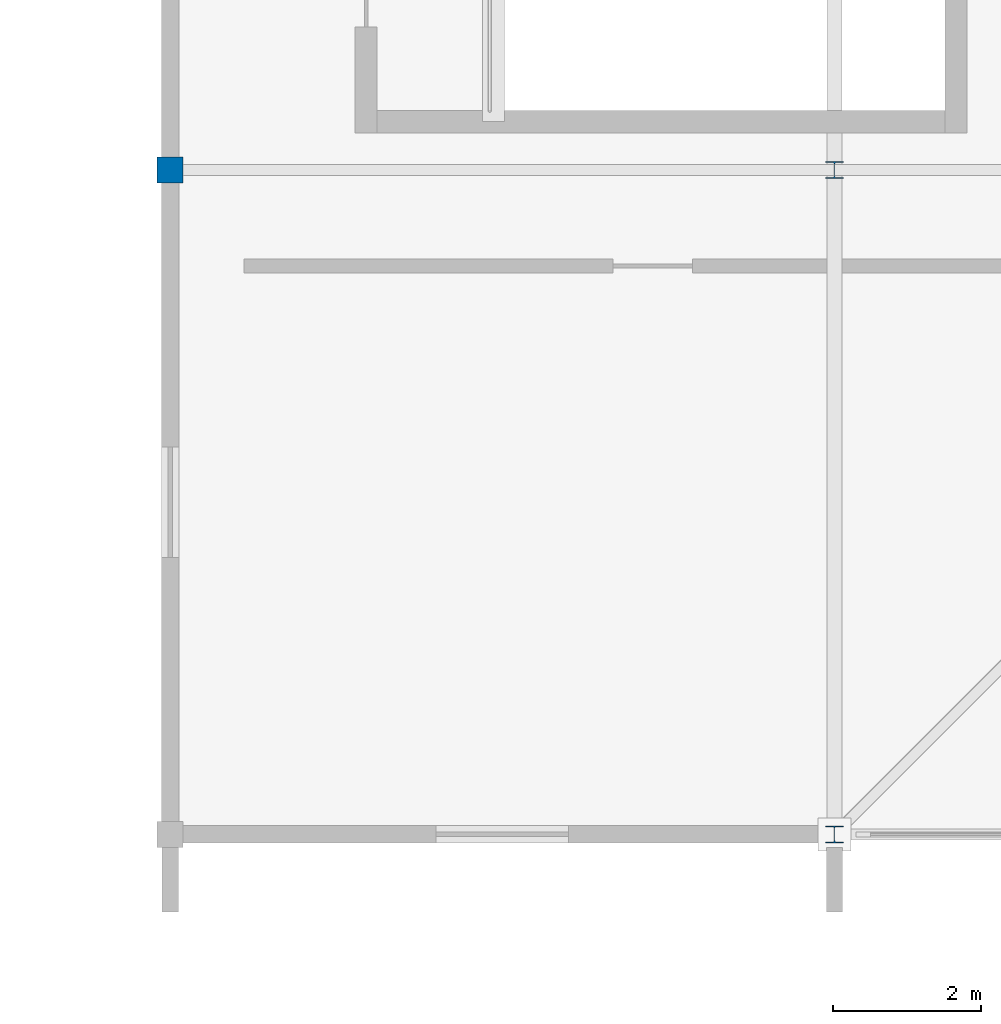
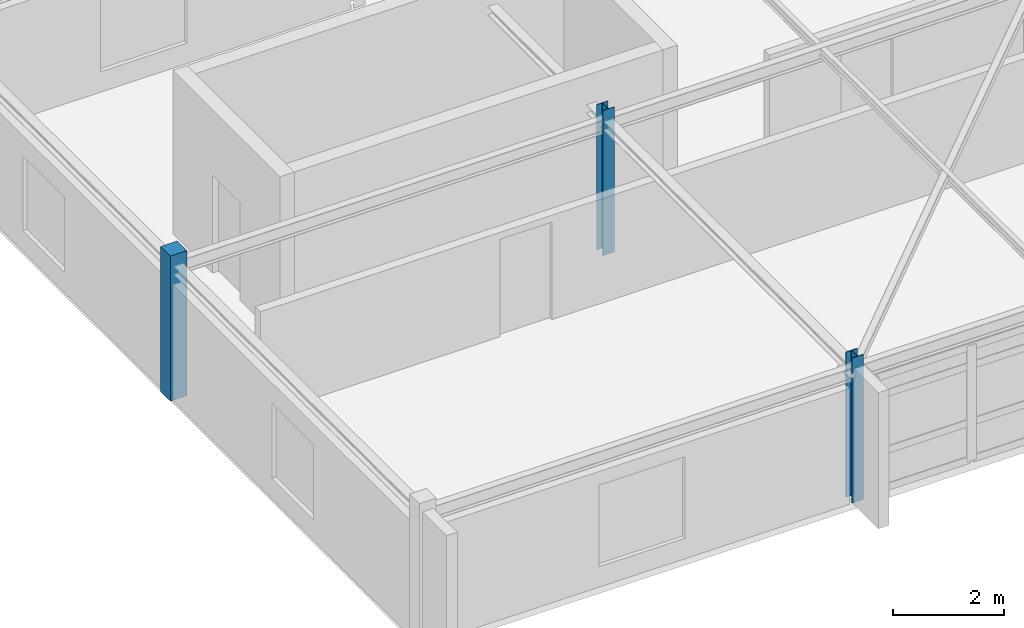
# One storey, part 5 of 83: 3 columns.
"""IFC4 building model written with IfcOpenShell, lengths in metres."""

from ifc_helpers import new_model, si_unit, direction, frame, origin, origin_2d, place, context, subcontext, project, spatial, rectangle, i_section, extrude, material, material_profile, profile_set, type_object, element, save


model = new_model("IFC4")

# Units and contexts
model_context = context("Model", 3, precision=1e-05, world=origin(), true_north=direction((0.0, 1.0)))
body_context = subcontext(model_context, "Body", "Model", "MODEL_VIEW")
ifc_project = project(units=[si_unit("LENGTHUNIT", "METRE"), si_unit("AREAUNIT", "SQUARE_METRE"), si_unit("VOLUMEUNIT", "CUBIC_METRE"), si_unit("PLANEANGLEUNIT", "RADIAN"), si_unit("MASSUNIT", "GRAM", prefix="KILO")], contexts=[model_context])

# Site, building, storey
site_placement = place(None, origin())
site = spatial("IfcSite", under=ifc_project, at=site_placement, CompositionType="ELEMENT")
building_placement = place(site_placement, origin())
building = spatial("IfcBuilding", under=site, at=building_placement, Name="Zimvara Arc Housing Community", CompositionType="ELEMENT")
storey_placement = place(building_placement, frame((0.0, 0.0, 4.5)))
storey = spatial("IfcBuildingStorey", under=building, at=storey_placement, Name="L01", CompositionType="ELEMENT", Elevation=4.5)

# Columns
ifc_material_1 = material(Name="Concrete C40/50", Category="concrete")
ifc_material_profile_1 = material_profile(ifc_material_1, rectangle(XDim=0.35009765625, YDim=0.35009765625, at=origin_2d()), Name="RC 350x350")
ifc_profile_set_1 = profile_set([ifc_material_profile_1], Name="Concrete C40/50")
column_type_1 = type_object("IfcColumnType", Name="COL-RC-350x350", PredefinedType="COLUMN", material=ifc_profile_set_1)
column_placement = place(storey_placement, frame((112.0, 12.60009765625, 0.0), z_axis=(0.0, 0.0, 1.0), x_axis=(1.0, 0.0, 0.0)))
element("IfcColumn", 1, at=column_placement, inside=storey, type_object=column_type_1, Name="col:nursery:L01:x0:y1", PredefinedType="COLUMN", context=body_context, shape_type="SweptSolid", body=[
    extrude(rectangle(XDim=0.35009765625, YDim=0.35009765625, at=origin_2d()), origin(), (0.0, 0.0, 1.0), 3.199951171875),
])
ifc_material_2 = material(Name="Steel S355", Category="steel")
ifc_material_profile_2 = material_profile(ifc_material_2, i_section(OverallWidth=0.239990234375, OverallDepth=0.22998046875, WebThickness=0.007568359375, FlangeThickness=0.011962890625, FilletRadius=0.02099609375, at=origin_2d()), Name="HEA 240")
ifc_profile_set_2 = profile_set([ifc_material_profile_2], Name="Steel S355")
column_type_2 = type_object("IfcColumnType", Name="COL-ST-HEA240", PredefinedType="COLUMN", material=ifc_profile_set_2)
for number, where, z_axis, x_axis, name in (
    (2, (121.0, 3.60009765625, 0.0), (0.0, 0.0, 1.0), (1.0, 0.0, 0.0), "col:nursery:L01:x1:y0"),
    (3, (121.0, 12.60009765625, 0.0), (0.0, 0.0, 1.0), (1.0, 0.0, 0.0), "col:nursery:L01:x1:y1"),
):
    element("IfcColumn", number, at=place(storey_placement, frame(where, z_axis=z_axis, x_axis=x_axis)), inside=storey, type_object=column_type_2, Name=name, PredefinedType="COLUMN", context=body_context, shape_type="SweptSolid", body=[
        extrude(i_section(OverallWidth=0.239990234375, OverallDepth=0.22998046875, WebThickness=0.007568359375, FlangeThickness=0.011962890625, FilletRadius=0.02099609375, at=origin_2d()), origin(), (0.0, 0.0, 1.0), 3.199951171875),
    ])

save(model, "model.ifc")
